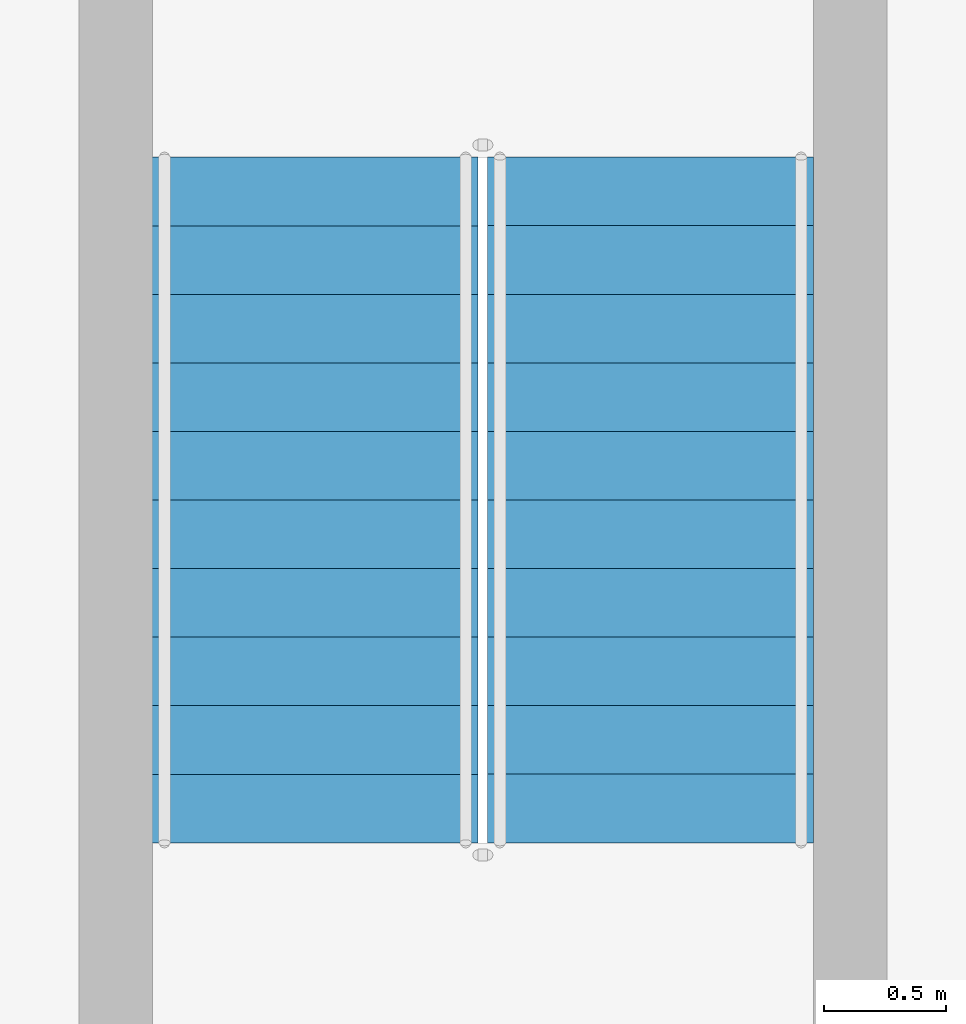
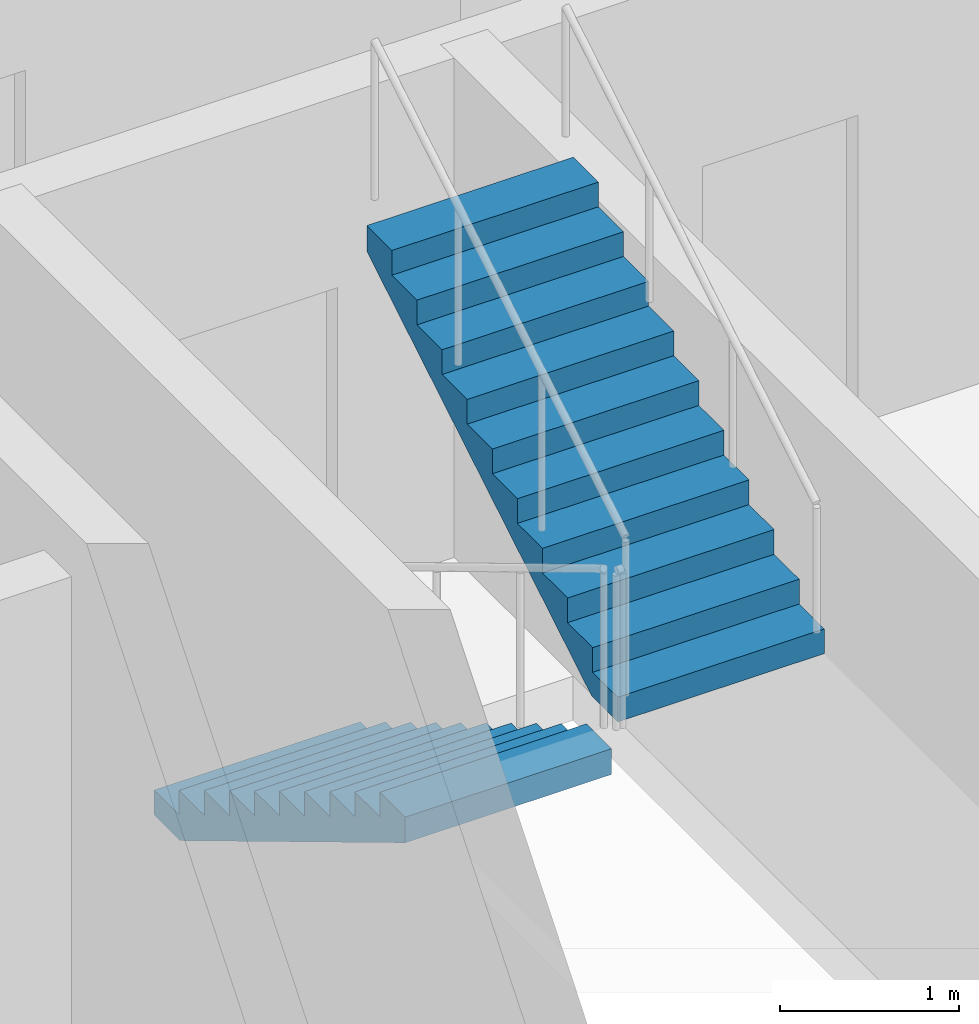
# One storey, part 29 of 39: 2 stair flights, 1 element without a shape of its own.
"""IFC4 building model written with IfcOpenShell, lengths in metres."""

from ifc_helpers import new_model, si_unit, direction, frame, origin, place, context, subcontext, project, spatial, triangles, source, transform, mapped, material, type_object, element, aggregate, save


model = new_model("IFC4")

# Units and contexts
model_context = context("Model", 3, precision=1e-05, world=origin(), true_north=direction((0.0, 1.0)))
body_context = subcontext(model_context, "Body", "Model", "MODEL_VIEW")
ifc_project = project(units=[si_unit("LENGTHUNIT", "METRE"), si_unit("AREAUNIT", "SQUARE_METRE"), si_unit("VOLUMEUNIT", "CUBIC_METRE"), si_unit("PLANEANGLEUNIT", "RADIAN"), si_unit("MASSUNIT", "GRAM", prefix="KILO")], contexts=[model_context])

# Site, building, storey
site_placement = place(None, origin())
site = spatial("IfcSite", under=ifc_project, at=site_placement, CompositionType="ELEMENT")
building_placement = place(site_placement, origin())
building = spatial("IfcBuilding", under=site, at=building_placement, Name="Ogive Portal Towers", CompositionType="ELEMENT")
storey_placement = place(building_placement, frame((0.0, 0.0, 44.60009765625)))
storey = spatial("IfcBuildingStorey", under=building, at=storey_placement, Name="L09", CompositionType="ELEMENT", Elevation=44.60009765625)

# Stair, stair flights
ifc_material = material(Name="Concrete C40/50", Category="concrete")
stair_type = type_object("IfcStairType", Name="INT-STAIR", PredefinedType="HALF_TURN_STAIR", material=ifc_material)
stair_placement = place(storey_placement, origin())
stair = element("IfcStair", 1, at=stair_placement, inside=storey, type_object=stair_type, Name="L09 Exit Stair ST-A4", PredefinedType="HALF_TURN_STAIR")
stair_flight_type = type_object("IfcStairFlightType", Name="INT-FLIGHT", PredefinedType="STRAIGHT", material=ifc_material)
shared_shape = source(origin(), body_context, "Body", "Tessellation", [
    triangles([(0.0, -0.6650390625, 0.0), (0.0, -0.384765625, 0.0), (0.0, -0.197021484375, 0.0), (0.0, -0.0830078125, 0.0), (0.0, -0.024658203125, 0.0), (0.0, -0.003173828125, 0.0), (0.0, 0.0, 0.0), (0.0, 0.003173828125, 0.0), (0.0, 0.024658203125, 0.0), (0.0, 0.0830078125, 0.0), (0.0, 0.197021484375, 0.0), (0.0, 0.384765625, 0.0), (0.0, 0.6650390625, 0.0), (0.0, -0.6650390625, 0.168212890625), (0.0, -0.384765625, 0.168212890625), (0.0, -0.197021484375, 0.168212890625), (0.0, -0.0830078125, 0.168212890625), (0.0, -0.024658203125, 0.168212890625), (0.0, -0.003173828125, 0.168212890625), (0.0, 0.0, 0.168212890625), (0.0, 0.003173828125, 0.168212890625), (0.0, 0.024658203125, 0.168212890625), (0.0, 0.0830078125, 0.168212890625), (0.0, 0.197021484375, 0.168212890625), (0.0, 0.384765625, 0.168212890625), (0.0, 0.6650390625, 0.168212890625), (0.280029296875, -0.6650390625, 0.168212890625), (0.280029296875, -0.384765625, 0.168212890625), (0.280029296875, -0.197021484375, 0.168212890625), (0.280029296875, -0.0830078125, 0.168212890625), (0.280029296875, -0.024658203125, 0.168212890625), (0.280029296875, -0.003173828125, 0.168212890625), (0.280029296875, 0.0, 0.168212890625), (0.280029296875, 0.003173828125, 0.168212890625), (0.280029296875, 0.024658203125, 0.168212890625), (0.280029296875, 0.0830078125, 0.168212890625), (0.280029296875, 0.197021484375, 0.168212890625), (0.280029296875, 0.384765625, 0.168212890625), (0.280029296875, 0.6650390625, 0.168212890625), (0.280029296875, -0.6650390625, 0.33642578125), (0.280029296875, -0.384765625, 0.33642578125), (0.280029296875, -0.197021484375, 0.33642578125), (0.280029296875, -0.0830078125, 0.33642578125), (0.280029296875, -0.024658203125, 0.33642578125), (0.280029296875, -0.003173828125, 0.33642578125), (0.280029296875, 0.0, 0.33642578125), (0.280029296875, 0.003173828125, 0.33642578125), (0.280029296875, 0.024658203125, 0.33642578125), (0.280029296875, 0.0830078125, 0.33642578125), (0.280029296875, 0.197021484375, 0.33642578125), (0.280029296875, 0.384765625, 0.33642578125), (0.280029296875, 0.6650390625, 0.33642578125), (0.56005859375, -0.6650390625, 0.33642578125), (0.56005859375, -0.384765625, 0.33642578125), (0.56005859375, -0.197021484375, 0.33642578125), (0.56005859375, -0.0830078125, 0.33642578125), (0.56005859375, -0.024658203125, 0.33642578125), (0.56005859375, -0.003173828125, 0.33642578125), (0.56005859375, 0.0, 0.33642578125), (0.56005859375, 0.003173828125, 0.33642578125), (0.56005859375, 0.024658203125, 0.33642578125), (0.56005859375, 0.0830078125, 0.33642578125), (0.56005859375, 0.197021484375, 0.33642578125), (0.56005859375, 0.384765625, 0.33642578125), (0.56005859375, 0.6650390625, 0.33642578125), (0.56005859375, -0.6650390625, 0.504638671875), (0.56005859375, -0.384765625, 0.504638671875), (0.56005859375, -0.197021484375, 0.504638671875), (0.56005859375, -0.0830078125, 0.504638671875), (0.56005859375, -0.024658203125, 0.504638671875), (0.56005859375, -0.003173828125, 0.504638671875), (0.56005859375, 0.0, 0.504638671875), (0.56005859375, 0.003173828125, 0.504638671875), (0.56005859375, 0.024658203125, 0.504638671875), (0.56005859375, 0.0830078125, 0.504638671875), (0.56005859375, 0.197021484375, 0.504638671875), (0.56005859375, 0.384765625, 0.504638671875), (0.56005859375, 0.6650390625, 0.504638671875), (0.840087890625, -0.6650390625, 0.504638671875), (0.840087890625, -0.384765625, 0.504638671875), (0.840087890625, -0.197021484375, 0.504638671875), (0.840087890625, -0.0830078125, 0.504638671875), (0.840087890625, -0.024658203125, 0.504638671875), (0.840087890625, -0.003173828125, 0.504638671875), (0.840087890625, 0.0, 0.504638671875), (0.840087890625, 0.003173828125, 0.504638671875), (0.840087890625, 0.024658203125, 0.504638671875), (0.840087890625, 0.0830078125, 0.504638671875), (0.840087890625, 0.197021484375, 0.504638671875), (0.840087890625, 0.384765625, 0.504638671875), (0.840087890625, 0.6650390625, 0.504638671875), (0.840087890625, -0.6650390625, 0.672607421875), (0.840087890625, -0.384765625, 0.672607421875), (0.840087890625, -0.197021484375, 0.672607421875), (0.840087890625, -0.0830078125, 0.672607421875), (0.840087890625, -0.024658203125, 0.672607421875), (0.840087890625, -0.003173828125, 0.672607421875), (0.840087890625, 0.0, 0.672607421875), (0.840087890625, 0.003173828125, 0.672607421875), (0.840087890625, 0.024658203125, 0.672607421875), (0.840087890625, 0.0830078125, 0.672607421875), (0.840087890625, 0.197021484375, 0.672607421875), (0.840087890625, 0.384765625, 0.672607421875), (0.840087890625, 0.6650390625, 0.672607421875), (1.1201171875, -0.6650390625, 0.672607421875), (1.1201171875, -0.384765625, 0.672607421875), (1.1201171875, -0.197021484375, 0.672607421875), (1.1201171875, -0.0830078125, 0.672607421875), (1.1201171875, -0.024658203125, 0.672607421875), (1.1201171875, -0.003173828125, 0.672607421875), (1.1201171875, 0.0, 0.672607421875), (1.1201171875, 0.003173828125, 0.672607421875), (1.1201171875, 0.024658203125, 0.672607421875), (1.1201171875, 0.0830078125, 0.672607421875), (1.1201171875, 0.197021484375, 0.672607421875), (1.1201171875, 0.384765625, 0.672607421875), (1.1201171875, 0.6650390625, 0.672607421875), (1.1201171875, -0.6650390625, 0.8408203125), (1.1201171875, -0.384765625, 0.8408203125), (1.1201171875, -0.197021484375, 0.8408203125), (1.1201171875, -0.0830078125, 0.8408203125), (1.1201171875, -0.024658203125, 0.8408203125), (1.1201171875, -0.003173828125, 0.8408203125), (1.1201171875, 0.0, 0.8408203125), (1.1201171875, 0.003173828125, 0.8408203125), (1.1201171875, 0.024658203125, 0.8408203125), (1.1201171875, 0.0830078125, 0.8408203125), (1.1201171875, 0.197021484375, 0.8408203125), (1.1201171875, 0.384765625, 0.8408203125), (1.1201171875, 0.6650390625, 0.8408203125), (1.39990234375, -0.6650390625, 0.8408203125), (1.39990234375, -0.384765625, 0.8408203125), (1.39990234375, -0.197021484375, 0.8408203125), (1.39990234375, -0.0830078125, 0.8408203125), (1.39990234375, -0.024658203125, 0.8408203125), (1.39990234375, -0.003173828125, 0.8408203125), (1.39990234375, 0.0, 0.8408203125), (1.39990234375, 0.003173828125, 0.8408203125), (1.39990234375, 0.024658203125, 0.8408203125), (1.39990234375, 0.0830078125, 0.8408203125), (1.39990234375, 0.197021484375, 0.8408203125), (1.39990234375, 0.384765625, 0.8408203125), (1.39990234375, 0.6650390625, 0.8408203125), (1.39990234375, -0.6650390625, 1.009033203125), (1.39990234375, -0.384765625, 1.009033203125), (1.39990234375, -0.197021484375, 1.009033203125), (1.39990234375, -0.0830078125, 1.009033203125), (1.39990234375, -0.024658203125, 1.009033203125), (1.39990234375, -0.003173828125, 1.009033203125), (1.39990234375, 0.0, 1.009033203125), (1.39990234375, 0.003173828125, 1.009033203125), (1.39990234375, 0.024658203125, 1.009033203125), (1.39990234375, 0.0830078125, 1.009033203125), (1.39990234375, 0.197021484375, 1.009033203125), (1.39990234375, 0.384765625, 1.009033203125), (1.39990234375, 0.6650390625, 1.009033203125), (1.679931640625, -0.6650390625, 1.009033203125), (1.679931640625, -0.384765625, 1.009033203125), (1.679931640625, -0.197021484375, 1.009033203125), (1.679931640625, -0.0830078125, 1.009033203125), (1.679931640625, -0.024658203125, 1.009033203125), (1.679931640625, -0.003173828125, 1.009033203125), (1.679931640625, 0.0, 1.009033203125), (1.679931640625, 0.003173828125, 1.009033203125), (1.679931640625, 0.024658203125, 1.009033203125), (1.679931640625, 0.0830078125, 1.009033203125), (1.679931640625, 0.197021484375, 1.009033203125), (1.679931640625, 0.384765625, 1.009033203125), (1.679931640625, 0.6650390625, 1.009033203125), (1.679931640625, -0.6650390625, 1.17724609375), (1.679931640625, -0.384765625, 1.17724609375), (1.679931640625, -0.197021484375, 1.17724609375), (1.679931640625, -0.0830078125, 1.17724609375), (1.679931640625, -0.024658203125, 1.17724609375), (1.679931640625, -0.003173828125, 1.17724609375), (1.679931640625, 0.0, 1.17724609375), (1.679931640625, 0.003173828125, 1.17724609375), (1.679931640625, 0.024658203125, 1.17724609375), (1.679931640625, 0.0830078125, 1.17724609375), (1.679931640625, 0.197021484375, 1.17724609375), (1.679931640625, 0.384765625, 1.17724609375), (1.679931640625, 0.6650390625, 1.17724609375), (1.9599609375, -0.6650390625, 1.17724609375), (1.9599609375, -0.384765625, 1.17724609375), (1.9599609375, -0.197021484375, 1.17724609375), (1.9599609375, -0.0830078125, 1.17724609375), (1.9599609375, -0.024658203125, 1.17724609375), (1.9599609375, -0.003173828125, 1.17724609375), (1.9599609375, 0.0, 1.17724609375), (1.9599609375, 0.003173828125, 1.17724609375), (1.9599609375, 0.024658203125, 1.17724609375), (1.9599609375, 0.0830078125, 1.17724609375), (1.9599609375, 0.197021484375, 1.17724609375), (1.9599609375, 0.384765625, 1.17724609375), (1.9599609375, 0.6650390625, 1.17724609375), (1.9599609375, -0.6650390625, 1.345458984375), (1.9599609375, -0.384765625, 1.345458984375), (1.9599609375, -0.197021484375, 1.345458984375), (1.9599609375, -0.0830078125, 1.345458984375), (1.9599609375, -0.024658203125, 1.345458984375), (1.9599609375, -0.003173828125, 1.345458984375), (1.9599609375, 0.0, 1.345458984375), (1.9599609375, 0.003173828125, 1.345458984375), (1.9599609375, 0.024658203125, 1.345458984375), (1.9599609375, 0.0830078125, 1.345458984375), (1.9599609375, 0.197021484375, 1.345458984375), (1.9599609375, 0.384765625, 1.345458984375), (1.9599609375, 0.6650390625, 1.345458984375), (2.239990234375, -0.6650390625, 1.345458984375), (2.239990234375, -0.384765625, 1.345458984375), (2.239990234375, -0.197021484375, 1.345458984375), (2.239990234375, -0.0830078125, 1.345458984375), (2.239990234375, -0.024658203125, 1.345458984375), (2.239990234375, -0.003173828125, 1.345458984375), (2.239990234375, 0.0, 1.345458984375), (2.239990234375, 0.003173828125, 1.345458984375), (2.239990234375, 0.024658203125, 1.345458984375), (2.239990234375, 0.0830078125, 1.345458984375), (2.239990234375, 0.197021484375, 1.345458984375), (2.239990234375, 0.384765625, 1.345458984375), (2.239990234375, 0.6650390625, 1.345458984375), (2.239990234375, -0.6650390625, 1.513671875), (2.239990234375, -0.384765625, 1.513671875), (2.239990234375, -0.197021484375, 1.513671875), (2.239990234375, -0.0830078125, 1.513671875), (2.239990234375, -0.024658203125, 1.513671875), (2.239990234375, -0.003173828125, 1.513671875), (2.239990234375, 0.0, 1.513671875), (2.239990234375, 0.003173828125, 1.513671875), (2.239990234375, 0.024658203125, 1.513671875), (2.239990234375, 0.0830078125, 1.513671875), (2.239990234375, 0.197021484375, 1.513671875), (2.239990234375, 0.384765625, 1.513671875), (2.239990234375, 0.6650390625, 1.513671875), (2.52001953125, -0.6650390625, 1.513671875), (2.52001953125, -0.384765625, 1.513671875), (2.52001953125, -0.197021484375, 1.513671875), (2.52001953125, -0.0830078125, 1.513671875), (2.52001953125, -0.024658203125, 1.513671875), (2.52001953125, -0.003173828125, 1.513671875), (2.52001953125, 0.0, 1.513671875), (2.52001953125, 0.003173828125, 1.513671875), (2.52001953125, 0.024658203125, 1.513671875), (2.52001953125, 0.0830078125, 1.513671875), (2.52001953125, 0.197021484375, 1.513671875), (2.52001953125, 0.384765625, 1.513671875), (2.52001953125, 0.6650390625, 1.513671875), (2.52001953125, -0.6650390625, 1.681884765625), (2.52001953125, -0.384765625, 1.681884765625), (2.52001953125, -0.197021484375, 1.681884765625), (2.52001953125, -0.0830078125, 1.681884765625), (2.52001953125, -0.024658203125, 1.681884765625), (2.52001953125, -0.003173828125, 1.681884765625), (2.52001953125, 0.0, 1.681884765625), (2.52001953125, 0.003173828125, 1.681884765625), (2.52001953125, 0.024658203125, 1.681884765625), (2.52001953125, 0.0830078125, 1.681884765625), (2.52001953125, 0.197021484375, 1.681884765625), (2.52001953125, 0.384765625, 1.681884765625), (2.52001953125, 0.6650390625, 1.681884765625), (2.800048828125, -0.6650390625, 1.681884765625), (2.800048828125, -0.384765625, 1.681884765625), (2.800048828125, -0.197021484375, 1.681884765625), (2.800048828125, -0.0830078125, 1.681884765625), (2.800048828125, -0.024658203125, 1.681884765625), (2.800048828125, -0.003173828125, 1.681884765625), (2.800048828125, 0.0, 1.681884765625), (2.800048828125, 0.003173828125, 1.681884765625), (2.800048828125, 0.024658203125, 1.681884765625), (2.800048828125, 0.0830078125, 1.681884765625), (2.800048828125, 0.197021484375, 1.681884765625), (2.800048828125, 0.384765625, 1.681884765625), (2.800048828125, 0.6650390625, 1.681884765625), (2.800048828125, -0.6650390625, 1.5068359375), (2.800048828125, -0.384765625, 1.5068359375), (2.800048828125, -0.197021484375, 1.5068359375), (2.800048828125, -0.0830078125, 1.5068359375), (2.800048828125, -0.024658203125, 1.5068359375), (2.800048828125, -0.003173828125, 1.5068359375), (2.800048828125, 0.0, 1.5068359375), (2.800048828125, 0.003173828125, 1.5068359375), (2.800048828125, 0.024658203125, 1.5068359375), (2.800048828125, 0.0830078125, 1.5068359375), (2.800048828125, 0.197021484375, 1.5068359375), (2.800048828125, 0.384765625, 1.5068359375), (2.800048828125, 0.6650390625, 1.5068359375), (0.291015625, -0.6650390625, 0.0), (0.291015625, -0.384765625, 0.0), (0.291015625, -0.197021484375, 0.0), (0.291015625, -0.0830078125, 0.0), (0.291015625, -0.024658203125, 0.0), (0.291015625, -0.003173828125, 0.0), (0.291015625, 0.0, 0.0), (0.291015625, 0.003173828125, 0.0), (0.291015625, 0.024658203125, 0.0), (0.291015625, 0.0830078125, 0.0), (0.291015625, 0.197021484375, 0.0), (0.291015625, 0.384765625, 0.0), (0.291015625, 0.6650390625, 0.0)], [[1, 14, 15], [1, 15, 2], [2, 15, 16], [2, 16, 3], [3, 16, 17], [3, 17, 4], [4, 17, 18], [4, 18, 5], [5, 18, 19], [5, 19, 6], [6, 19, 20], [6, 20, 7], [7, 20, 21], [7, 21, 8], [8, 21, 22], [8, 22, 9], [9, 22, 23], [9, 23, 10], [10, 23, 24], [10, 24, 11], [11, 24, 25], [11, 25, 12], [12, 25, 26], [12, 26, 13], [14, 27, 28], [14, 28, 15], [15, 28, 29], [15, 29, 16], [16, 29, 30], [16, 30, 17], [17, 30, 31], [17, 31, 18], [18, 31, 32], [18, 32, 19], [19, 32, 33], [19, 33, 20], [20, 33, 34], [20, 34, 21], [21, 34, 35], [21, 35, 22], [22, 35, 36], [22, 36, 23], [23, 36, 37], [23, 37, 24], [24, 37, 38], [24, 38, 25], [25, 38, 39], [25, 39, 26], [27, 40, 41], [27, 41, 28], [28, 41, 42], [28, 42, 29], [29, 42, 43], [29, 43, 30], [30, 43, 44], [30, 44, 31], [31, 44, 45], [31, 45, 32], [32, 45, 46], [32, 46, 33], [33, 46, 47], [33, 47, 34], [34, 47, 48], [34, 48, 35], [35, 48, 49], [35, 49, 36], [36, 49, 50], [36, 50, 37], [37, 50, 51], [37, 51, 38], [38, 51, 52], [38, 52, 39], [40, 53, 54], [40, 54, 41], [41, 54, 55], [41, 55, 42], [42, 55, 56], [42, 56, 43], [43, 56, 57], [43, 57, 44], [44, 57, 58], [44, 58, 45], [45, 58, 59], [45, 59, 46], [46, 59, 60], [46, 60, 47], [47, 60, 61], [47, 61, 48], [48, 61, 62], [48, 62, 49], [49, 62, 63], [49, 63, 50], [50, 63, 64], [50, 64, 51], [51, 64, 65], [51, 65, 52], [53, 66, 67], [53, 67, 54], [54, 67, 68], [54, 68, 55], [55, 68, 69], [55, 69, 56], [56, 69, 70], [56, 70, 57], [57, 70, 71], [57, 71, 58], [58, 71, 72], [58, 72, 59], [59, 72, 73], [59, 73, 60], [60, 73, 74], [60, 74, 61], [61, 74, 75], [61, 75, 62], [62, 75, 76], [62, 76, 63], [63, 76, 77], [63, 77, 64], [64, 77, 78], [64, 78, 65], [66, 79, 80], [66, 80, 67], [67, 80, 81], [67, 81, 68], [68, 81, 82], [68, 82, 69], [69, 82, 83], [69, 83, 70], [70, 83, 84], [70, 84, 71], [71, 84, 85], [71, 85, 72], [72, 85, 86], [72, 86, 73], [73, 86, 87], [73, 87, 74], [74, 87, 88], [74, 88, 75], [75, 88, 89], [75, 89, 76], [76, 89, 90], [76, 90, 77], [77, 90, 91], [77, 91, 78], [79, 92, 93], [79, 93, 80], [80, 93, 94], [80, 94, 81], [81, 94, 95], [81, 95, 82], [82, 95, 96], [82, 96, 83], [83, 96, 97], [83, 97, 84], [84, 97, 98], [84, 98, 85], [85, 98, 99], [85, 99, 86], [86, 99, 100], [86, 100, 87], [87, 100, 101], [87, 101, 88], [88, 101, 102], [88, 102, 89], [89, 102, 103], [89, 103, 90], [90, 103, 104], [90, 104, 91], [92, 105, 106], [92, 106, 93], [93, 106, 107], [93, 107, 94], [94, 107, 108], [94, 108, 95], [95, 108, 109], [95, 109, 96], [96, 109, 110], [96, 110, 97], [97, 110, 111], [97, 111, 98], [98, 111, 112], [98, 112, 99], [99, 112, 113], [99, 113, 100], [100, 113, 114], [100, 114, 101], [101, 114, 115], [101, 115, 102], [102, 115, 116], [102, 116, 103], [103, 116, 117], [103, 117, 104], [105, 118, 119], [105, 119, 106], [106, 119, 120], [106, 120, 107], [107, 120, 121], [107, 121, 108], [108, 121, 122], [108, 122, 109], [109, 122, 123], [109, 123, 110], [110, 123, 124], [110, 124, 111], [111, 124, 125], [111, 125, 112], [112, 125, 126], [112, 126, 113], [113, 126, 127], [113, 127, 114], [114, 127, 128], [114, 128, 115], [115, 128, 129], [115, 129, 116], [116, 129, 130], [116, 130, 117], [118, 131, 132], [118, 132, 119], [119, 132, 133], [119, 133, 120], [120, 133, 134], [120, 134, 121], [121, 134, 135], [121, 135, 122], [122, 135, 136], [122, 136, 123], [123, 136, 137], [123, 137, 124], [124, 137, 138], [124, 138, 125], [125, 138, 139], [125, 139, 126], [126, 139, 140], [126, 140, 127], [127, 140, 141], [127, 141, 128], [128, 141, 142], [128, 142, 129], [129, 142, 143], [129, 143, 130], [131, 144, 145], [131, 145, 132], [132, 145, 146], [132, 146, 133], [133, 146, 147], [133, 147, 134], [134, 147, 148], [134, 148, 135], [135, 148, 149], [135, 149, 136], [136, 149, 150], [136, 150, 137], [137, 150, 151], [137, 151, 138], [138, 151, 152], [138, 152, 139], [139, 152, 153], [139, 153, 140], [140, 153, 154], [140, 154, 141], [141, 154, 155], [141, 155, 142], [142, 155, 156], [142, 156, 143], [144, 157, 158], [144, 158, 145], [145, 158, 159], [145, 159, 146], [146, 159, 160], [146, 160, 147], [147, 160, 161], [147, 161, 148], [148, 161, 162], [148, 162, 149], [149, 162, 163], [149, 163, 150], [150, 163, 164], [150, 164, 151], [151, 164, 165], [151, 165, 152], [152, 165, 166], [152, 166, 153], [153, 166, 167], [153, 167, 154], [154, 167, 168], [154, 168, 155], [155, 168, 169], [155, 169, 156], [157, 170, 171], [157, 171, 158], [158, 171, 172], [158, 172, 159], [159, 172, 173], [159, 173, 160], [160, 173, 174], [160, 174, 161], [161, 174, 175], [161, 175, 162], [162, 175, 176], [162, 176, 163], [163, 176, 177], [163, 177, 164], [164, 177, 178], [164, 178, 165], [165, 178, 179], [165, 179, 166], [166, 179, 180], [166, 180, 167], [167, 180, 181], [167, 181, 168], [168, 181, 182], [168, 182, 169], [170, 183, 184], [170, 184, 171], [171, 184, 185], [171, 185, 172], [172, 185, 186], [172, 186, 173], [173, 186, 187], [173, 187, 174], [174, 187, 188], [174, 188, 175], [175, 188, 189], [175, 189, 176], [176, 189, 190], [176, 190, 177], [177, 190, 191], [177, 191, 178], [178, 191, 192], [178, 192, 179], [179, 192, 193], [179, 193, 180], [180, 193, 194], [180, 194, 181], [181, 194, 195], [181, 195, 182], [183, 196, 197], [183, 197, 184], [184, 197, 198], [184, 198, 185], [185, 198, 199], [185, 199, 186], [186, 199, 200], [186, 200, 187], [187, 200, 201], [187, 201, 188], [188, 201, 202], [188, 202, 189], [189, 202, 203], [189, 203, 190], [190, 203, 204], [190, 204, 191], [191, 204, 205], [191, 205, 192], [192, 205, 206], [192, 206, 193], [193, 206, 207], [193, 207, 194], [194, 207, 208], [194, 208, 195], [196, 209, 210], [196, 210, 197], [197, 210, 211], [197, 211, 198], [198, 211, 212], [198, 212, 199], [199, 212, 213], [199, 213, 200], [200, 213, 214], [200, 214, 201], [201, 214, 215], [201, 215, 202], [202, 215, 216], [202, 216, 203], [203, 216, 217], [203, 217, 204], [204, 217, 218], [204, 218, 205], [205, 218, 219], [205, 219, 206], [206, 219, 220], [206, 220, 207], [207, 220, 221], [207, 221, 208], [209, 222, 223], [209, 223, 210], [210, 223, 224], [210, 224, 211], [211, 224, 225], [211, 225, 212], [212, 225, 226], [212, 226, 213], [213, 226, 227], [213, 227, 214], [214, 227, 228], [214, 228, 215], [215, 228, 229], [215, 229, 216], [216, 229, 230], [216, 230, 217], [217, 230, 231], [217, 231, 218], [218, 231, 232], [218, 232, 219], [219, 232, 233], [219, 233, 220], [220, 233, 234], [220, 234, 221], [222, 235, 236], [222, 236, 223], [223, 236, 237], [223, 237, 224], [224, 237, 238], [224, 238, 225], [225, 238, 239], [225, 239, 226], [226, 239, 240], [226, 240, 227], [227, 240, 241], [227, 241, 228], [228, 241, 242], [228, 242, 229], [229, 242, 243], [229, 243, 230], [230, 243, 244], [230, 244, 231], [231, 244, 245], [231, 245, 232], [232, 245, 246], [232, 246, 233], [233, 246, 247], [233, 247, 234], [235, 248, 249], [235, 249, 236], [236, 249, 250], [236, 250, 237], [237, 250, 251], [237, 251, 238], [238, 251, 252], [238, 252, 239], [239, 252, 253], [239, 253, 240], [240, 253, 254], [240, 254, 241], [241, 254, 255], [241, 255, 242], [242, 255, 256], [242, 256, 243], [243, 256, 257], [243, 257, 244], [244, 257, 258], [244, 258, 245], [245, 258, 259], [245, 259, 246], [246, 259, 260], [246, 260, 247], [248, 261, 262], [248, 262, 249], [249, 262, 263], [249, 263, 250], [250, 263, 264], [250, 264, 251], [251, 264, 265], [251, 265, 252], [252, 265, 266], [252, 266, 253], [253, 266, 267], [253, 267, 254], [254, 267, 268], [254, 268, 255], [255, 268, 269], [255, 269, 256], [256, 269, 270], [256, 270, 257], [257, 270, 271], [257, 271, 258], [258, 271, 272], [258, 272, 259], [259, 272, 273], [259, 273, 260], [261, 274, 275], [261, 275, 262], [262, 275, 276], [262, 276, 263], [263, 276, 277], [263, 277, 264], [264, 277, 278], [264, 278, 265], [265, 278, 279], [265, 279, 266], [266, 279, 280], [266, 280, 267], [267, 280, 281], [267, 281, 268], [268, 281, 282], [268, 282, 269], [269, 282, 283], [269, 283, 270], [270, 283, 284], [270, 284, 271], [271, 284, 285], [271, 285, 272], [272, 285, 286], [272, 286, 273], [274, 287, 288], [274, 288, 275], [275, 288, 289], [275, 289, 276], [276, 289, 290], [276, 290, 277], [277, 290, 291], [277, 291, 278], [278, 291, 292], [278, 292, 279], [279, 292, 293], [279, 293, 280], [280, 293, 294], [280, 294, 281], [281, 294, 295], [281, 295, 282], [282, 295, 296], [282, 296, 283], [283, 296, 297], [283, 297, 284], [284, 297, 298], [284, 298, 285], [285, 298, 299], [285, 299, 286], [287, 1, 2], [287, 2, 288], [288, 2, 3], [288, 3, 289], [289, 3, 4], [289, 4, 290], [290, 4, 5], [290, 5, 291], [291, 5, 6], [291, 6, 292], [292, 6, 7], [292, 7, 293], [293, 7, 8], [293, 8, 294], [294, 8, 9], [294, 9, 295], [295, 9, 10], [295, 10, 296], [296, 10, 11], [296, 11, 297], [297, 11, 12], [297, 12, 298], [298, 12, 13], [298, 13, 299], [1, 287, 274], [13, 286, 299], [274, 261, 248], [286, 260, 273], [274, 248, 235], [286, 247, 260], [274, 235, 222], [286, 234, 247], [274, 222, 209], [286, 221, 234], [209, 196, 183], [221, 195, 208], [274, 209, 183], [286, 195, 221], [183, 170, 157], [195, 169, 182], [274, 183, 157], [286, 169, 195], [157, 144, 131], [169, 143, 156], [274, 157, 131], [286, 143, 169], [131, 118, 105], [143, 117, 130], [274, 131, 105], [286, 117, 143], [1, 274, 105], [13, 117, 286], [105, 92, 79], [117, 91, 104], [79, 66, 53], [91, 65, 78], [105, 79, 53], [117, 65, 91], [53, 40, 27], [65, 39, 52], [105, 53, 27], [117, 39, 65], [1, 105, 27], [13, 39, 117], [27, 14, 1], [39, 13, 26]], closed=True),
])
stair_flight_1_placement = place(storey_placement, frame((87.6650390625, 29.169921875, 0.0), z_axis=(0.0, 0.0, 1.0), x_axis=(0.0, -1.0, 0.0)))
stair_flight_1 = element("IfcStairFlight", 2, at=stair_flight_1_placement, type_object=stair_flight_type, Name="ST-A4 flight 1", NumberOfRisers=11, NumberOfTreads=10, PredefinedType="STRAIGHT", RiserHeight=0.168181818, TreadLength=0.28, context=body_context, shape_type="MappedRepresentation", body=[
    mapped(shared_shape, transform((0.0, 0.0, 0.0), scale=1.0)),
])
stair_flight_2_placement = place(storey_placement, frame((89.034912109375, 26.3701171875, 1.849853515625), z_axis=(0.0, 0.0, 1.0), x_axis=(0.0, 1.0, 0.0)))
stair_flight_2 = element("IfcStairFlight", 3, at=stair_flight_2_placement, type_object=stair_flight_type, Name="ST-A4 flight 2", NumberOfRisers=11, NumberOfTreads=10, PredefinedType="STRAIGHT", RiserHeight=0.168181818, TreadLength=0.28, context=body_context, shape_type="MappedRepresentation", body=[
    mapped(shared_shape, transform((0.0, 0.0, 0.0), scale=1.0)),
])
aggregate(stair, [stair_flight_1, stair_flight_2])

save(model, "model.ifc")
